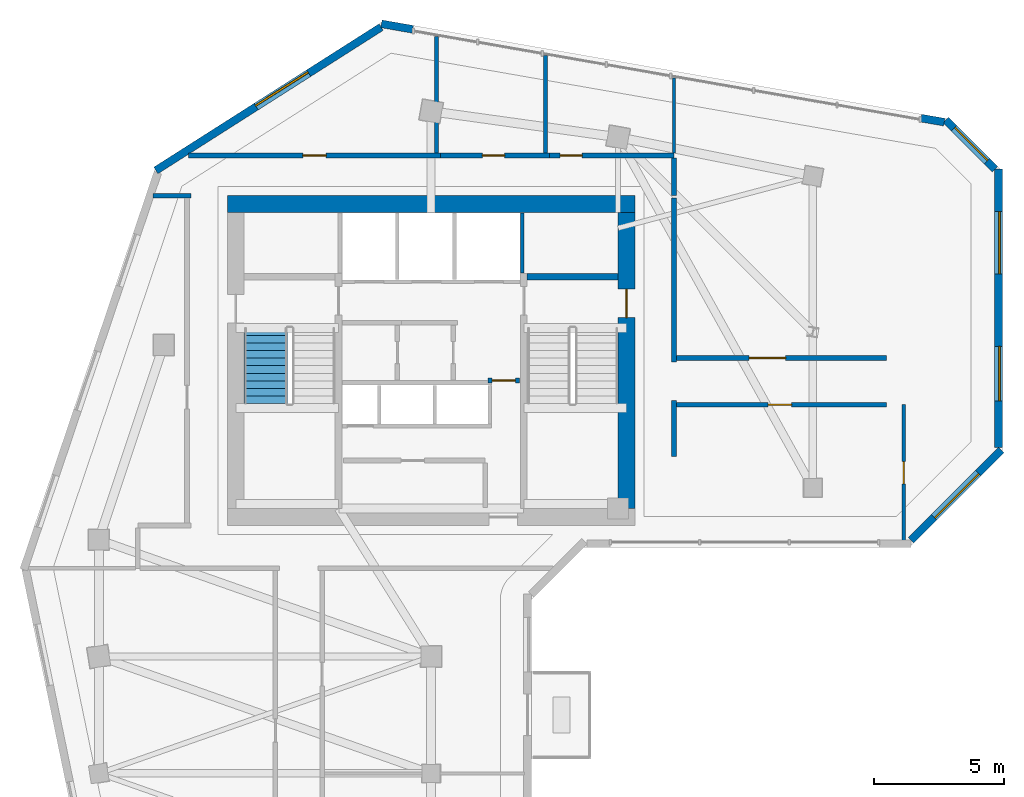
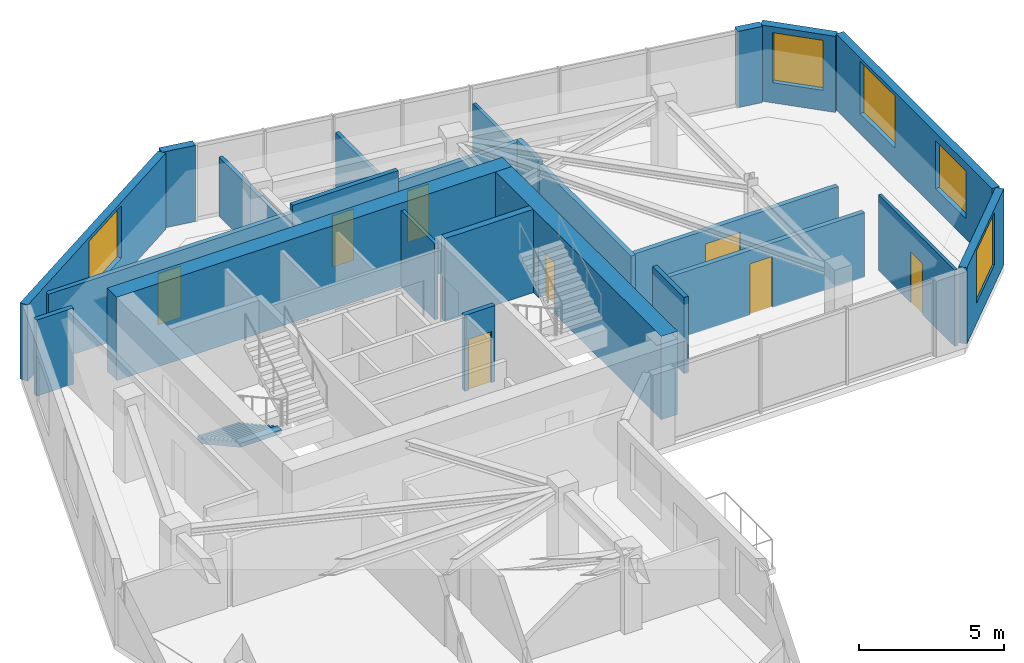
# One storey, part 5 of 9: 24 walls, 8 doors, 5 windows, 1 stair flight, 13 openings, 1 element without a shape of its own.
"""IFC4 building model written with IfcOpenShell, lengths in metres."""

import ifcopenshell
import ifcopenshell.guid

model = None  # the IFC model being written
_history = None  # IfcOwnerHistory: only IFC2X3 demands one
_inside = {}  # id of a spatial element -> (the spatial element, [elements in it])
_under = {}  # id of a project, library or spatial element -> (it, [spatial elements below it])
_declared = {}  # id of a project -> (the project, [libraries it declares])
_typed = {}  # id of a type object -> (the type object, [elements of that type])
_made_of = {}  # id of a material, layer set ... -> (it, [elements and type objects made of it])


def new_model(schema):
    """Start an empty IFC model of exactly this schema.

    Asked for "IFC4X3", IfcOpenShell would pick the latest addendum, in which some entities
    have other attributes; the version numbers below select the first issue.
    IFC2X3 requires an IfcOwnerHistory on every rooted entity: one is made here for all.
    """
    global model, _history
    if schema == "IFC4X3":
        model = ifcopenshell.file(schema_version=(4, 3, 0, 0))
    else:
        model = ifcopenshell.file(schema=schema)
    _inside.clear()
    _under.clear()
    _declared.clear()
    _typed.clear()
    _made_of.clear()
    _history = None
    if model.schema == "IFC2X3":
        org = make("IfcOrganization", Name="unknown")
        user = make(
            "IfcPersonAndOrganization",
            ThePerson=make("IfcPerson", FamilyName="unknown"),
            TheOrganization=org,
        )
        app = make(
            "IfcApplication",
            ApplicationDeveloper=org,
            Version="unknown",
            ApplicationFullName="unknown",
            ApplicationIdentifier="unknown",
        )
        _history = make(
            "IfcOwnerHistory",
            OwningUser=user,
            OwningApplication=app,
            ChangeAction="ADDED",
            CreationDate=0,
        )
    return model


def make(cls, **values):
    """One entity of the class cls with the attributes given. An attribute that is None is left unset."""
    return model.create_entity(
        cls, **{name: value for name, value in values.items() if value is not None}
    )


def rooted(cls, **values):
    """An entity with a GlobalId (a new one), such as an element, a storey or a relation."""
    return make(cls, GlobalId=ifcopenshell.guid.new(), OwnerHistory=_history, **values)


def si_unit(unit_type, name, prefix=None):
    """IfcSIUnit, for example si_unit("LENGTHUNIT", "METRE", prefix="MILLI")."""
    return make("IfcSIUnit", UnitType=unit_type, Prefix=prefix, Name=name)


def assignment(units):
    """IfcUnitAssignment: the units of a project."""
    return None if units is None else make("IfcUnitAssignment", Units=units)


def point(xyz):
    """IfcCartesianPoint."""
    return None if xyz is None else make("IfcCartesianPoint", Coordinates=xyz)


def direction(xyz):
    """IfcDirection."""
    return None if xyz is None else make("IfcDirection", DirectionRatios=xyz)


def frame(location, z_axis=None, x_axis=None):
    """IfcAxis2Placement3D, a coordinate frame: its origin and axes. An axis left out is left unset."""
    return make(
        "IfcAxis2Placement3D",
        Location=point(location),
        Axis=direction(z_axis),
        RefDirection=direction(x_axis),
    )


def frame_2d(location, x_axis=None):
    """IfcAxis2Placement2D, a coordinate frame in the plane: its origin and x axis."""
    return make(
        "IfcAxis2Placement2D", Location=point(location), RefDirection=direction(x_axis)
    )


def origin():
    """The frame at (0, 0, 0) with its axes left unset."""
    return frame((0.0, 0.0, 0.0))


def place(relative_to, where):
    """IfcLocalPlacement: puts the frame where relative to a parent placement (None: the world)."""
    return make(
        "IfcLocalPlacement", PlacementRelTo=relative_to, RelativePlacement=where
    )


def context(
    kind, dimensions, precision=None, world=None, true_north=None, identifier=None
):
    """IfcGeometricRepresentationContext, for example the 3D "Model" context."""
    return make(
        "IfcGeometricRepresentationContext",
        ContextIdentifier=identifier,
        ContextType=kind,
        CoordinateSpaceDimension=dimensions,
        Precision=precision,
        WorldCoordinateSystem=world,
        TrueNorth=true_north,
    )


def subcontext(parent, identifier, kind, view, scale=None):
    """IfcGeometricRepresentationSubContext, for example "Body" below "Model"."""
    return make(
        "IfcGeometricRepresentationSubContext",
        ContextIdentifier=identifier,
        ContextType=kind,
        ParentContext=parent,
        TargetScale=scale,
        TargetView=view,
    )


def project(units=None, contexts=None):
    """IfcProject with its units and contexts."""
    return rooted(
        "IfcProject",
        Name="project",
        RepresentationContexts=contexts,
        UnitsInContext=assignment(units),
    )


def spatial(cls, under=None, at=None, **own):
    """A site, building, storey or space (cls), placed at a placement, below another one or the project."""
    s = rooted(cls, ObjectPlacement=at, **own)
    if under is not None:
        _under.setdefault(under.id(), (under, []))[1].append(s)
    return s


def polyline(points):
    """IfcPolyline through the points."""
    return make("IfcPolyline", Points=[point(p) for p in points])


def profile(cls, at=None, kind="AREA", **sizes):
    """A parametric profile (cls). Its sizes go by their IFC names, for example OverallWidth=200.0."""
    return make(cls, ProfileType=kind, Position=at, **sizes)


def rectangle(**sizes):
    """IfcRectangleProfileDef."""
    return profile("IfcRectangleProfileDef", **sizes)


def outline(outer, holes=None, kind="AREA"):
    """IfcArbitraryClosedProfileDef: a profile drawn as a closed curve; with holes, ...WithVoids."""
    if holes is None:
        return make("IfcArbitraryClosedProfileDef", ProfileType=kind, OuterCurve=outer)
    return make(
        "IfcArbitraryProfileDefWithVoids",
        ProfileType=kind,
        OuterCurve=outer,
        InnerCurves=holes,
    )


def extrude(swept, where, along, depth):
    """IfcExtrudedAreaSolid: the profile swept, set in the frame where, extruded along a direction by depth."""
    return make(
        "IfcExtrudedAreaSolid",
        SweptArea=swept,
        Position=where,
        ExtrudedDirection=direction(along),
        Depth=depth,
    )


def shape(context_of_items, identifier, shape_type, items):
    """IfcShapeRepresentation: the items that make up one representation, for example the "Body"."""
    return make(
        "IfcShapeRepresentation",
        ContextOfItems=context_of_items,
        RepresentationIdentifier=identifier,
        RepresentationType=shape_type,
        Items=items,
    )


def source(mapping_origin, context_of_items, identifier, shape_type, items):
    """IfcRepresentationMap: a shape defined once, which mapped items show again and again."""
    return make(
        "IfcRepresentationMap",
        MappingOrigin=mapping_origin,
        MappedRepresentation=shape(context_of_items, identifier, shape_type, items),
    )


def transform(
    local_origin,
    x_axis=None,
    y_axis=None,
    z_axis=None,
    scale=None,
    scale2=None,
    scale3=None,
    uniform=True,
):
    """IfcCartesianTransformationOperator3D, or its non-uniform kind. x_axis, y_axis, z_axis: its Axis1, 2, 3."""
    if uniform:
        return make(
            "IfcCartesianTransformationOperator3D",
            Axis1=direction(x_axis),
            Axis2=direction(y_axis),
            LocalOrigin=point(local_origin),
            Scale=scale,
            Axis3=direction(z_axis),
        )
    return make(
        "IfcCartesianTransformationOperator3DnonUniform",
        Axis1=direction(x_axis),
        Axis2=direction(y_axis),
        LocalOrigin=point(local_origin),
        Scale=scale,
        Axis3=direction(z_axis),
        Scale2=scale2,
        Scale3=scale3,
    )


def mapped(mapping_source, mapping_target):
    """IfcMappedItem: shows the shape of a source again, moved by a transform."""
    return make(
        "IfcMappedItem", MappingSource=mapping_source, MappingTarget=mapping_target
    )


def material(Name=None, Category=None):
    """IfcMaterial."""
    return make("IfcMaterial", Name=Name, Category=Category)


def layer(
    of_material, thickness, ventilated=None, Name=None, Category=None, Priority=None
):
    """IfcMaterialLayer: one layer of a wall or slab, of a material (None: an air gap)."""
    return make(
        "IfcMaterialLayer",
        Material=of_material,
        LayerThickness=thickness,
        IsVentilated=ventilated,
        Name=Name,
        Category=Category,
        Priority=Priority,
    )


def layer_set(layers, Name=None):
    """IfcMaterialLayerSet."""
    return make("IfcMaterialLayerSet", MaterialLayers=layers, LayerSetName=Name)


def made_of(thing, what):
    """Note that an element or type object is made of a material, layer set ...; save() writes the relation."""
    if what is not None:
        _made_of.setdefault(what.id(), (what, []))[1].append(thing)
    return thing


def type_object(cls, material=None, **own):
    """A type object (cls), such as IfcWallType, which elements share."""
    return made_of(rooted(cls, **own), material)


def element(
    cls,
    number,
    at=None,
    inside=None,
    cuts=None,
    type_object=None,
    material=None,
    context=None,
    identifier="Body",
    shape_type=None,
    held_by="IfcProductDefinitionShape",
    body=None,
    shapes=None,
    **own,
):
    """One element of the class cls, such as IfcWall. Its Tag is "e" and its number.

    at: its placement. inside: the storey or other place that contains it. cuts: it is an
    opening in that element (IfcRelVoidsElement). A single representation is given by context,
    identifier, shape_type and body (its items); several are given by shapes. held_by: the class
    of the entity that holds the representations. save() writes the other relations.
    """
    e = rooted(cls, Tag="e%d" % number, ObjectPlacement=at, **own)
    if body is not None:
        shapes = [shape(context, identifier, shape_type, body)]
    if shapes is not None:
        e.Representation = make(held_by, Representations=shapes)
    if inside is not None:
        _inside.setdefault(inside.id(), (inside, []))[1].append(e)
    if cuts is not None:
        rooted(
            "IfcRelVoidsElement", RelatingBuildingElement=cuts, RelatedOpeningElement=e
        )
    if type_object is not None:
        _typed.setdefault(type_object.id(), (type_object, []))[1].append(e)
    return made_of(e, material)


def fill(opening, filler):
    """IfcRelFillsElement: the door or window that sits in an opening."""
    return rooted(
        "IfcRelFillsElement",
        RelatingOpeningElement=opening,
        RelatedBuildingElement=filler,
    )


def aggregate(whole, parts):
    """IfcRelAggregates: a whole, such as a stair, and the parts it consists of."""
    return rooted("IfcRelAggregates", RelatingObject=whole, RelatedObjects=parts)


def save(model, path):
    """Write the relations noted so far, then the file.

    IfcRelAggregates (storeys below a building ...), IfcRelContainedInSpatialStructure (elements
    in a storey), IfcRelDefinesByType, IfcRelAssociatesMaterial and IfcRelDeclares: one each for
    every whole, place, type object, material and project.
    """
    for whole, parts in _under.values():
        aggregate(whole, parts)
    for where, things in _inside.values():
        rooted(
            "IfcRelContainedInSpatialStructure",
            RelatedElements=things,
            RelatingStructure=where,
        )
    for kind, things in _typed.values():
        rooted("IfcRelDefinesByType", RelatedObjects=things, RelatingType=kind)
    for what, things in _made_of.values():
        rooted("IfcRelAssociatesMaterial", RelatedObjects=things, RelatingMaterial=what)
    for by, libraries in _declared.values():
        rooted("IfcRelDeclares", RelatingContext=by, RelatedDefinitions=libraries)
    model.write(path)


model = new_model("IFC4")

# Units and contexts
model_context = context("Model", 3, precision=1e-05, world=origin(), true_north=direction((0.0, 1.0)))
body_context = subcontext(model_context, "Body", "Model", "MODEL_VIEW")
ifc_project = project(units=[si_unit("LENGTHUNIT", "METRE"), si_unit("AREAUNIT", "SQUARE_METRE"), si_unit("VOLUMEUNIT", "CUBIC_METRE"), si_unit("PLANEANGLEUNIT", "RADIAN"), si_unit("MASSUNIT", "GRAM", prefix="KILO")], contexts=[model_context])

# Site, building, storey
site_placement = place(None, origin())
site = spatial("IfcSite", under=ifc_project, at=site_placement, CompositionType="ELEMENT")
building_placement = place(site_placement, origin())
building = spatial("IfcBuilding", under=site, at=building_placement, Name="Calvemar Wedge Station Tower", CompositionType="ELEMENT")
storey_placement = place(building_placement, frame((0.0, 0.0, 239.39990234375)))
storey = spatial("IfcBuildingStorey", under=building, at=storey_placement, Name="L61", CompositionType="ELEMENT", Elevation=239.39990234375)

# Walls
ifc_material_1 = material(Name="Concrete C50", Category="concrete")
ifc_layer_1 = layer(ifc_material_1, 0.260009765625)
ifc_layer_set_1 = layer_set([ifc_layer_1], Name="Concrete C50")
wall_type_1 = type_object("IfcWallType", Name="SW-CORE-260", PredefinedType="SHEAR", material=ifc_layer_set_1)
wall_1_placement = place(storey_placement, frame((27.5, 43.1298828125, 0.0), z_axis=(0.0, 0.0, 1.0), x_axis=(1.0, 0.0, 0.0)))
element("IfcWall", 1, at=wall_1_placement, inside=storey, type_object=wall_type_1, Name="Storey L61 Core Shear Wall STC2-N", PredefinedType="SHEAR", context=body_context, shape_type="SweptSolid", body=[
    extrude(rectangle(XDim=3.5, YDim=0.260009765625, at=frame_2d((1.75, 0.0))), origin(), (0.0, 0.0, 1.0), 3.5),
])
ifc_material_2 = material(Name="Concrete C60", Category="concrete")
ifc_layer_2 = layer(ifc_material_2, 0.64990234375)
ifc_layer_set_2 = layer_set([ifc_layer_2], Name="Concrete C60")
wall_type_2 = type_object("IfcWallType", Name="SW-CORE-650", PredefinedType="SHEAR", material=ifc_layer_set_2)
wall_2_placement = place(storey_placement, frame((15.949951171875, 45.925048828125, 0.0), z_axis=(0.0, 0.0, 1.0), x_axis=(1.0, 0.0, 0.0)))
element("IfcWall", 2, at=wall_2_placement, inside=storey, type_object=wall_type_2, Name="Storey L61 Core Shear Wall N", PredefinedType="SHEAR", context=body_context, shape_type="SweptSolid", body=[
    extrude(rectangle(XDim=15.699951171875, YDim=0.64990234375, at=frame_2d((7.85009765625, 0.0))), origin(), (0.0, 0.0, 1.0), 3.5),
])

# Wall, opening, door
wall_3_placement = place(storey_placement, frame((31.324951171875, 34.199951171875, 0.0), z_axis=(0.0, 0.0, 1.0), x_axis=(0.0, 1.0, 0.0)))
wall_3 = element("IfcWall", 3, at=wall_3_placement, inside=storey, type_object=wall_type_2, Name="Storey L61 Core Shear Wall E", PredefinedType="SHEAR", context=body_context, shape_type="SweptSolid", body=[
    extrude(rectangle(XDim=11.400146484375, YDim=0.64990234375, at=frame_2d((5.7001953125, 0.0))), origin(), (0.0, 0.0, 1.0), 3.5),
])
shared_shape_1 = source(origin(), body_context, "Body", "SweptSolid", [
    extrude(rectangle(XDim=1.10009765625, YDim=2.14990234375, at=frame_2d((0.550048828125, 1.074951171875))), frame((0.0, 0.3349609375, 0.0), z_axis=(0.0, -1.0, 0.0), x_axis=(1.0, 0.0, 0.0)), (0.0, 0.0, 1.0), 0.669921875),
])
opening_1_placement = place(wall_3_placement, frame((7.35009765625, 0.0, 0.0)))
opening_1 = element("IfcOpeningElement", 4, at=opening_1_placement, cuts=wall_3, Name="Opening FD-90", PredefinedType="OPENING", context=body_context, shape_type="MappedRepresentation", body=[
    mapped(shared_shape_1, transform((0.0, 0.0, 0.0), scale=1.0)),
])
ifc_material_3 = material(Name="Galvanized fire-rated steel door leaf P-90", Category="steel")
door_type_1 = type_object("IfcDoorType", Name="DR-FD90-1100", OperationType="NOTDEFINED", PredefinedType="DOOR", material=ifc_material_3)
shared_shape_2 = source(origin(), body_context, "Body", "SweptSolid", [
    extrude(rectangle(XDim=1.10009765625, YDim=2.14990234375, at=frame_2d((0.550048828125, 1.074951171875))), frame((0.0, 0.02490234375, 0.0), z_axis=(0.0, -1.0, 0.0), x_axis=(1.0, 0.0, 0.0)), (0.0, 0.0, 1.0), 0.050048828125),
])
door_1_placement = place(opening_1_placement, origin())
door_1 = element("IfcDoor", 5, at=door_1_placement, inside=storey, type_object=door_type_1, Name="L61 East Corridor to Exit Stair ST-C2 Door", OperationType="SINGLE_SWING_LEFT", OverallHeight=2.14990234375, OverallWidth=1.10009765625, PredefinedType="DOOR", context=body_context, shape_type="MappedRepresentation", body=[
    mapped(shared_shape_2, transform((0.0, 0.0, 0.0), scale=1.0)),
])
fill(opening_1, door_1)

ifc_material_4 = material(Name="Double-stud fire-rated corridor partition")
ifc_layer_3 = layer(ifc_material_4, 0.179931640625)
ifc_layer_set_3 = layer_set([ifc_layer_3], Name="Double-stud fire-rated corridor partition")
wall_type_3 = type_object("IfcWallType", Name="W-CORR-180", PredefinedType="PARTITIONING", material=ifc_layer_set_3)
wall_4_placement = place(storey_placement, frame((27.199951171875, 39.1298828125, 0.0), z_axis=(0.0, 0.0, 1.0), x_axis=(-1.0, 0.0, 0.0)))
wall_4 = element("IfcWall", 6, at=wall_4_placement, inside=storey, type_object=wall_type_3, Name="Storey L61 Interior Partition WL-L61-005", PredefinedType="PARTITIONING", context=body_context, shape_type="SweptSolid", body=[
    extrude(rectangle(XDim=1.2099609375, YDim=0.179931640625, at=frame_2d((0.60498046875, 0.0))), origin(), (0.0, 0.0, 1.0), 3.2001953125),
])
shared_shape_3 = source(origin(), body_context, "Body", "SweptSolid", [
    extrude(rectangle(XDim=0.89990234375, YDim=2.14990234375, at=frame_2d((0.449951171875, 1.074951171875))), frame((0.0, 0.10009765625, 0.0), z_axis=(0.0, -1.0, 0.0), x_axis=(1.0, 0.0, 0.0)), (0.0, 0.0, 1.0), 0.199951171875),
])
opening_2_placement = place(wall_4_placement, frame((0.155029296875, 0.0, 0.0)))
opening_2 = element("IfcOpeningElement", 7, at=opening_2_placement, cuts=wall_4, Name="Opening FD-60", PredefinedType="OPENING", context=body_context, shape_type="MappedRepresentation", body=[
    mapped(shared_shape_3, transform((0.0, 0.0, 0.0), scale=1.0)),
])
ifc_material_5 = material(Name="Fire-rated acoustic timber-core entrance door EI 60", Category="wood")
door_type_2 = type_object("IfcDoorType", Name="DR-FD60-900", OperationType="NOTDEFINED", PredefinedType="DOOR", material=ifc_material_5)
shared_shape_4 = source(origin(), body_context, "Body", "SweptSolid", [
    extrude(rectangle(XDim=0.89990234375, YDim=2.14990234375, at=frame_2d((0.449951171875, 1.074951171875))), frame((0.0, 0.02490234375, 0.0), z_axis=(0.0, -1.0, 0.0), x_axis=(1.0, 0.0, 0.0)), (0.0, 0.0, 1.0), 0.050048828125),
])
door_2_placement = place(opening_2_placement, origin())
door_2 = element("IfcDoor", 8, at=door_2_placement, inside=storey, type_object=door_type_2, Name="L61 Core Service Lobby Door", OperationType="SINGLE_SWING_LEFT", OverallHeight=2.14990234375, OverallWidth=0.89990234375, PredefinedType="DOOR", context=body_context, shape_type="MappedRepresentation", body=[
    mapped(shared_shape_4, transform((0.0, 0.0, 0.0), scale=1.0)),
])
fill(opening_2, door_2)

# Wall
wall_5_placement = place(storey_placement, frame((14.56005859375, 46.25, 0.0), z_axis=(0.0, 0.0, 1.0), x_axis=(-1.0, 0.0, 0.0)))
element("IfcWall", 9, at=wall_5_placement, inside=storey, type_object=wall_type_3, Name="Storey L61 Interior Partition WL-L61-013", PredefinedType="PARTITIONING", context=body_context, shape_type="SweptSolid", body=[
    extrude(rectangle(XDim=1.46875, YDim=0.179931640625, at=frame_2d((0.734375, 0.0))), origin(), (0.0, 0.0, 1.0), 3.2001953125),
])

# Wall, opening, door
wall_6_placement = place(storey_placement, frame((14.45263671875, 47.800048828125, 0.0), z_axis=(0.0, 0.0, 1.0), x_axis=(1.0, 0.0, 0.0)))
wall_6 = element("IfcWall", 10, at=wall_6_placement, inside=storey, type_object=wall_type_3, Name="Storey L61 Interior Partition WL-L61-014", PredefinedType="PARTITIONING", context=body_context, shape_type="SweptSolid", body=[
    extrude(rectangle(XDim=9.707275390625, YDim=0.179931640625, at=frame_2d((4.853515625, 0.0))), origin(), (0.0, 0.0, 1.0), 2.869140625),
])
opening_3_placement = place(wall_6_placement, frame((4.40380859375, 0.0, 0.0)))
opening_3 = element("IfcOpeningElement", 11, at=opening_3_placement, cuts=wall_6, Name="Opening D-01", PredefinedType="OPENING", context=body_context, shape_type="MappedRepresentation", body=[
    mapped(shared_shape_3, transform((0.0, 0.0, 0.0), scale=1.0)),
])
ifc_material_6 = material(Name="Architectural hardwood acoustic swing door", Category="wood")
door_type_3 = type_object("IfcDoorType", Name="DR-INT-900", OperationType="NOTDEFINED", PredefinedType="DOOR", material=ifc_material_6)
shared_shape_5 = source(origin(), body_context, "Body", "SweptSolid", [
    extrude(rectangle(XDim=0.89990234375, YDim=2.14990234375, at=frame_2d((0.449951171875, 1.074951171875))), frame((0.0, 0.02490234375, 0.0), z_axis=(0.0, -1.0, 0.0), x_axis=(1.0, 0.0, 0.0)), (0.0, 0.0, 1.0), 0.050048828125),
])
door_3_placement = place(opening_3_placement, origin())
door_3 = element("IfcDoor", 12, at=door_3_placement, inside=storey, type_object=door_type_3, Name="L61 Co-Working Lounge Door", OperationType="SINGLE_SWING_RIGHT", OverallHeight=2.14990234375, OverallWidth=0.89990234375, PredefinedType="DOOR", context=body_context, shape_type="MappedRepresentation", body=[
    mapped(shared_shape_5, transform((0.0, 0.0, 0.0), scale=1.0)),
])
fill(opening_3, door_3)

wall_7_placement = place(storey_placement, frame((24.162109375, 47.800048828125, 0.0), z_axis=(0.0, 0.0, 1.0), x_axis=(1.0, 0.0, 0.0)))
wall_7 = element("IfcWall", 13, at=wall_7_placement, inside=storey, type_object=wall_type_3, Name="Storey L61 Interior Partition WL-L61-015", PredefinedType="PARTITIONING", context=body_context, shape_type="SweptSolid", body=[
    extrude(rectangle(XDim=4.197998046875, YDim=0.179931640625, at=frame_2d((2.09912109375, 0.0))), origin(), (0.0, 0.0, 1.0), 3.2001953125),
])
shared_shape_6 = source(origin(), body_context, "Body", "SweptSolid", [
    extrude(rectangle(XDim=0.85009765625, YDim=2.14990234375, at=frame_2d((0.425048828125, 1.074951171875))), frame((0.0, 0.10009765625, 0.0), z_axis=(0.0, -1.0, 0.0), x_axis=(1.0, 0.0, 0.0)), (0.0, 0.0, 1.0), 0.199951171875),
])
opening_4_placement = place(wall_7_placement, frame((1.61328125, 0.0, 0.0)))
opening_4 = element("IfcOpeningElement", 14, at=opening_4_placement, cuts=wall_7, Name="Opening D-02", PredefinedType="OPENING", context=body_context, shape_type="MappedRepresentation", body=[
    mapped(shared_shape_6, transform((0.0, 0.0, 0.0), scale=1.0)),
])
ifc_material_7 = material(Name="Moisture-sealed bathroom hardwood swing door", Category="wood")
door_type_4 = type_object("IfcDoorType", Name="DR-WET-850", OperationType="NOTDEFINED", PredefinedType="DOOR", material=ifc_material_7)
shared_shape_7 = source(origin(), body_context, "Body", "SweptSolid", [
    extrude(rectangle(XDim=0.85009765625, YDim=2.14990234375, at=frame_2d((0.425048828125, 1.074951171875))), frame((0.0, 0.02490234375, 0.0), z_axis=(0.0, -1.0, 0.0), x_axis=(1.0, 0.0, 0.0)), (0.0, 0.0, 1.0), 0.050048828125),
])
door_4_placement = place(opening_4_placement, origin())
door_4 = element("IfcDoor", 15, at=door_4_placement, inside=storey, type_object=door_type_4, Name="L61 Accessible WC Door", OperationType="SINGLE_SWING_LEFT", OverallHeight=2.14990234375, OverallWidth=0.85009765625, PredefinedType="DOOR", context=body_context, shape_type="MappedRepresentation", body=[
    mapped(shared_shape_7, transform((0.0, 0.0, 0.0), scale=1.0)),
])
fill(opening_4, door_4)

wall_8_placement = place(storey_placement, frame((28.362060546875, 47.800048828125, 0.0), z_axis=(0.0, 0.0, 1.0), x_axis=(1.0, 0.0, 0.0)))
wall_8 = element("IfcWall", 16, at=wall_8_placement, inside=storey, type_object=wall_type_3, Name="Storey L61 Interior Partition WL-L61-016", PredefinedType="PARTITIONING", context=body_context, shape_type="SweptSolid", body=[
    extrude(rectangle(XDim=4.787841796875, YDim=0.179931640625, at=frame_2d((2.39404296875, 0.0))), origin(), (0.0, 0.0, 1.0), 2.72900390625),
])
opening_5_placement = place(wall_8_placement, frame((0.400634765625, 0.0, 0.0)))
opening_5 = element("IfcOpeningElement", 17, at=opening_5_placement, cuts=wall_8, Name="Opening D-02", PredefinedType="OPENING", context=body_context, shape_type="MappedRepresentation", body=[
    mapped(shared_shape_6, transform((0.0, 0.0, 0.0), scale=1.0)),
])
door_5_placement = place(opening_5_placement, origin())
door_5 = element("IfcDoor", 18, at=door_5_placement, inside=storey, type_object=door_type_4, Name="L61 Storage Room Door", OperationType="SINGLE_SWING_RIGHT", OverallHeight=2.14990234375, OverallWidth=0.85009765625, PredefinedType="DOOR", context=body_context, shape_type="MappedRepresentation", body=[
    mapped(shared_shape_7, transform((0.0, 0.0, 0.0), scale=1.0)),
])
fill(opening_5, door_5)

# Walls
wall_9_placement = place(storey_placement, frame((33.14990234375, 47.7060546875, 0.0), z_axis=(0.0, 0.0, 1.0), x_axis=(0.0, -1.0, 0.0)))
element("IfcWall", 19, at=wall_9_placement, inside=storey, type_object=wall_type_3, Name="Storey L61 Interior Partition WL-L61-017", PredefinedType="PARTITIONING", context=body_context, shape_type="SweptSolid", body=[
    extrude(rectangle(XDim=1.4560546875, YDim=0.179931640625, at=frame_2d((0.72802734375, 0.0))), origin(), (0.0, 0.0, 1.0), 2.869140625),
])
wall_10_placement = place(storey_placement, frame((33.14990234375, 46.156005859375, 0.0), z_axis=(0.0, 0.0, 1.0), x_axis=(0.0, -1.0, 0.0)))
element("IfcWall", 20, at=wall_10_placement, inside=storey, type_object=wall_type_3, Name="Storey L61 Interior Partition WL-L61-018", PredefinedType="PARTITIONING", context=body_context, shape_type="SweptSolid", body=[
    extrude(rectangle(XDim=6.31591796875, YDim=0.179931640625, at=frame_2d((3.157958984375, 0.0))), origin(), (0.0, 0.0, 1.0), 2.72900390625),
])
wall_11_placement = place(storey_placement, frame((33.14990234375, 38.360107421875, 0.0), z_axis=(0.0, 0.0, 1.0), x_axis=(0.0, -1.0, 0.0)))
element("IfcWall", 21, at=wall_11_placement, inside=storey, type_object=wall_type_3, Name="Storey L61 Interior Partition WL-L61-019", PredefinedType="PARTITIONING", context=body_context, shape_type="SweptSolid", body=[
    extrude(rectangle(XDim=2.16015625, YDim=0.179931640625, at=frame_2d((1.080078125, 0.0))), origin(), (0.0, 0.0, 1.0), 3.2001953125),
])

# Wall, opening, door
wall_12_placement = place(storey_placement, frame((33.243896484375, 40.0, 0.0), z_axis=(0.0, 0.0, 1.0), x_axis=(1.0, 0.0, 0.0)))
wall_12 = element("IfcWall", 22, at=wall_12_placement, inside=storey, type_object=wall_type_3, Name="Storey L61 Interior Partition WL-L61-024", PredefinedType="PARTITIONING", context=body_context, shape_type="SweptSolid", body=[
    extrude(rectangle(XDim=8.091064453125, YDim=0.179931640625, at=frame_2d((4.04541015625, 0.0))), origin(), (0.0, 0.0, 1.0), 2.716064453125),
])
shared_shape_8 = source(origin(), body_context, "Body", "SweptSolid", [
    extrude(rectangle(XDim=1.39990234375, YDim=2.14990234375, at=frame_2d((0.699951171875, 1.074951171875))), frame((0.0, 0.10009765625, 0.0), z_axis=(0.0, -1.0, 0.0), x_axis=(1.0, 0.0, 0.0)), (0.0, 0.0, 1.0), 0.199951171875),
])
opening_6_placement = place(wall_12_placement, frame((2.804443359375, 0.0, 0.0)))
opening_6 = element("IfcOpeningElement", 23, at=opening_6_placement, cuts=wall_12, Name="Opening DD-140", PredefinedType="OPENING", context=body_context, shape_type="MappedRepresentation", body=[
    mapped(shared_shape_8, transform((0.0, 0.0, 0.0), scale=1.0)),
])
ifc_material_8 = material(Name="Double-leaf corridor acoustic fire door EI 60")
door_type_5 = type_object("IfcDoorType", Name="DR-DBL-1400", OperationType="DOUBLE_DOOR_SINGLE_SWING", PredefinedType="DOOR", material=ifc_material_8)
shared_shape_9 = source(origin(), body_context, "Body", "SweptSolid", [
    extrude(rectangle(XDim=1.39990234375, YDim=2.14990234375, at=frame_2d((0.699951171875, 1.074951171875))), frame((0.0, 0.02490234375, 0.0), z_axis=(0.0, -1.0, 0.0), x_axis=(1.0, 0.0, 0.0)), (0.0, 0.0, 1.0), 0.050048828125),
])
door_6_placement = place(opening_6_placement, origin())
door_6 = element("IfcDoor", 24, at=door_6_placement, inside=storey, type_object=door_type_5, Name="L61 Co-Working Studio Door", OperationType="SINGLE_SWING_LEFT", OverallHeight=2.14990234375, OverallWidth=1.39990234375, PredefinedType="DOOR", context=body_context, shape_type="MappedRepresentation", body=[
    mapped(shared_shape_9, transform((0.0, 0.0, 0.0), scale=1.0)),
])
fill(opening_6, door_6)

wall_13_placement = place(storey_placement, frame((41.3349609375, 38.199951171875, 0.0), z_axis=(0.0, 0.0, 1.0), x_axis=(-1.0, 0.0, 0.0)))
wall_13 = element("IfcWall", 25, at=wall_13_placement, inside=storey, type_object=wall_type_3, Name="Storey L61 Interior Partition WL-L61-025", PredefinedType="PARTITIONING", context=body_context, shape_type="SweptSolid", body=[
    extrude(rectangle(XDim=8.091064453125, YDim=0.179931640625, at=frame_2d((4.04541015625, 0.0))), origin(), (0.0, 0.0, 1.0), 2.716064453125),
])
opening_7_placement = place(wall_13_placement, frame((3.65576171875, 0.0, 0.0)))
opening_7 = element("IfcOpeningElement", 26, at=opening_7_placement, cuts=wall_13, Name="Opening D-01", PredefinedType="OPENING", context=body_context, shape_type="MappedRepresentation", body=[
    mapped(shared_shape_3, transform((0.0, 0.0, 0.0), scale=1.0)),
])
door_7_placement = place(opening_7_placement, origin())
door_7 = element("IfcDoor", 27, at=door_7_placement, inside=storey, type_object=door_type_3, Name="L61 Meeting Room Door", OperationType="SINGLE_SWING_RIGHT", OverallHeight=2.14990234375, OverallWidth=0.89990234375, PredefinedType="DOOR", context=body_context, shape_type="MappedRepresentation", body=[
    mapped(shared_shape_5, transform((0.0, 0.0, 0.0), scale=1.0)),
])
fill(opening_7, door_7)

# Wall, opening, window
ifc_material_9 = material(Name="Precast concrete C45", Category="concrete")
ifc_layer_4 = layer(ifc_material_9, 0.300048828125)
ifc_layer_set_4 = layer_set([ifc_layer_4], Name="Precast concrete C45")
wall_type_4 = type_object("IfcWallType", Name="W-EXT-GFRC-300", PredefinedType="SOLIDWALL", material=ifc_layer_set_4)
wall_14_placement = place(storey_placement, frame((42.27587890625, 32.97998046875, 0.0), z_axis=(0.0, 0.0, 1.0), x_axis=(0.707106781187, 0.707106781187, 0.0)))
wall_14 = element("IfcWall", 28, at=wall_14_placement, inside=storey, type_object=wall_type_4, Name="Storey L61 Bronze GFRC Exterior Wall 7", PredefinedType="SOLIDWALL", context=body_context, shape_type="SweptSolid", body=[
    extrude(rectangle(XDim=4.921875, YDim=0.300048828125, at=frame_2d((2.4609375, 0.0))), origin(), (0.0, 0.0, 1.0), 3.2001953125),
])
shared_shape_10 = source(origin(), body_context, "Body", "SweptSolid", [
    extrude(rectangle(XDim=2.39990234375, YDim=2.199951171875, at=frame_2d((1.199951171875, 1.10009765625))), frame((0.0, 0.16015625, 0.0), z_axis=(0.0, -1.0, 0.0), x_axis=(1.0, 0.0, 0.0)), (0.0, 0.0, 1.0), 0.320068359375),
])
opening_8_placement = place(wall_14_placement, frame((1.260986328125, 0.0, 0.85009765625)))
opening_8 = element("IfcOpeningElement", 29, at=opening_8_placement, cuts=wall_14, Name="Opening W1", PredefinedType="OPENING", context=body_context, shape_type="MappedRepresentation", body=[
    mapped(shared_shape_10, transform((0.0, 0.0, 0.0), scale=1.0)),
])
ifc_material_10 = material(Name="Low-E laminated insulated glass", Category="glass")
window_type_1 = type_object("IfcWindowType", Name="WIN-EXT-1", PartitioningType="SINGLE_PANEL", PredefinedType="WINDOW", material=ifc_material_10)
shared_shape_11 = source(origin(), body_context, "Body", "SweptSolid", [
    extrude(rectangle(XDim=2.39990234375, YDim=2.199951171875, at=frame_2d((1.199951171875, 1.10009765625))), frame((0.0, -0.014892578125, 0.0), z_axis=(0.0, -1.0, 0.0), x_axis=(1.0, 0.0, 0.0)), (0.0, 0.0, 1.0), 0.06005859375),
])
window_1_placement = place(opening_8_placement, origin())
window_1 = element("IfcWindow", 30, at=window_1_placement, inside=storey, type_object=window_type_1, Name="Storey L61 Recessed Window 7.1", OverallHeight=2.199951171875, OverallWidth=2.39990234375, PartitioningType="SINGLE_PANEL", PredefinedType="WINDOW", context=body_context, shape_type="MappedRepresentation", body=[
    mapped(shared_shape_11, transform((0.0, 0.0, 0.0), scale=1.0)),
])
fill(opening_8, window_1)

# Wall, openings, windows
wall_15_placement = place(storey_placement, frame((45.64990234375, 36.54931640625, 0.0), z_axis=(0.0, 0.0, 1.0), x_axis=(0.0, 1.0, 0.0)))
wall_15 = element("IfcWall", 31, at=wall_15_placement, inside=storey, type_object=wall_type_4, Name="Storey L61 Bronze GFRC Exterior Wall 8", PredefinedType="SOLIDWALL", context=body_context, shape_type="SweptSolid", body=[
    extrude(rectangle(XDim=10.73046875, YDim=0.300048828125, at=frame_2d((5.365234375, 0.0))), origin(), (0.0, 0.0, 1.0), 3.2001953125),
])
shared_shape_12 = source(origin(), body_context, "Body", "SweptSolid", [
    extrude(rectangle(XDim=2.10009765625, YDim=2.0, at=frame_2d((1.050048828125, 1.0))), frame((0.0, 0.16015625, 0.0), z_axis=(0.0, -1.0, 0.0), x_axis=(1.0, 0.0, 0.0)), (0.0, 0.0, 1.0), 0.320068359375),
])
opening_9_placement = place(wall_15_placement, frame((1.79296875, 0.0, 0.85009765625)))
opening_9 = element("IfcOpeningElement", 32, at=opening_9_placement, cuts=wall_15, Name="Opening W4", PredefinedType="OPENING", context=body_context, shape_type="MappedRepresentation", body=[
    mapped(shared_shape_12, transform((0.0, 0.0, 0.0), scale=1.0)),
])
opening_10_placement = place(wall_15_placement, frame((6.68798828125, 0.0, 0.85009765625)))
opening_10 = element("IfcOpeningElement", 33, at=opening_10_placement, cuts=wall_15, Name="Opening W1", PredefinedType="OPENING", context=body_context, shape_type="MappedRepresentation", body=[
    mapped(shared_shape_10, transform((0.0, 0.0, 0.0), scale=1.0)),
])
window_type_2 = type_object("IfcWindowType", Name="WIN-EXT-4", PartitioningType="SINGLE_PANEL", PredefinedType="WINDOW", material=ifc_material_10)
shared_shape_13 = source(origin(), body_context, "Body", "SweptSolid", [
    extrude(rectangle(XDim=2.10009765625, YDim=2.0, at=frame_2d((1.050048828125, 1.0))), frame((0.0, -0.014892578125, 0.0), z_axis=(0.0, -1.0, 0.0), x_axis=(1.0, 0.0, 0.0)), (0.0, 0.0, 1.0), 0.06005859375),
])
window_2_placement = place(opening_9_placement, origin())
window_2 = element("IfcWindow", 34, at=window_2_placement, inside=storey, type_object=window_type_2, Name="Storey L61 Recessed Window 8.1", OverallHeight=2.0, OverallWidth=2.10009765625, PartitioningType="SINGLE_PANEL", PredefinedType="WINDOW", context=body_context, shape_type="MappedRepresentation", body=[
    mapped(shared_shape_13, transform((0.0, 0.0, 0.0), scale=1.0)),
])
fill(opening_9, window_2)
window_3_placement = place(opening_10_placement, origin())
window_3 = element("IfcWindow", 35, at=window_3_placement, inside=storey, type_object=window_type_1, Name="Storey L61 Recessed Window 8.2", OverallHeight=2.199951171875, OverallWidth=2.39990234375, PartitioningType="SINGLE_PANEL", PredefinedType="WINDOW", context=body_context, shape_type="MappedRepresentation", body=[
    mapped(shared_shape_11, transform((0.0, 0.0, 0.0), scale=1.0)),
])
fill(opening_10, window_3)

# Wall, opening, window
wall_16_placement = place(storey_placement, frame((45.511962890625, 47.267822265625, 0.0), z_axis=(0.0, 0.0, 1.0), x_axis=(-0.707106781187, 0.707106781187, 0.0)))
wall_16 = element("IfcWall", 36, at=wall_16_placement, inside=storey, type_object=wall_type_4, Name="Storey L61 Bronze GFRC Exterior Wall 9", PredefinedType="SOLIDWALL", context=body_context, shape_type="SweptSolid", body=[
    extrude(rectangle(XDim=2.673828125, YDim=0.300048828125, at=frame_2d((1.3369140625, 0.0))), origin(), (0.0, 0.0, 1.0), 3.2001953125),
])
shared_shape_14 = source(origin(), body_context, "Body", "SweptSolid", [
    extrude(rectangle(XDim=1.800048828125, YDim=2.10009765625, at=frame_2d((0.89990234375, 1.050048828125))), frame((0.0, 0.16015625, 0.0), z_axis=(0.0, -1.0, 0.0), x_axis=(1.0, 0.0, 0.0)), (0.0, 0.0, 1.0), 0.320068359375),
])
opening_11_placement = place(wall_16_placement, frame((0.43701171875, 0.0, 0.85009765625)))
opening_11 = element("IfcOpeningElement", 37, at=opening_11_placement, cuts=wall_16, Name="Opening W2", PredefinedType="OPENING", context=body_context, shape_type="MappedRepresentation", body=[
    mapped(shared_shape_14, transform((0.0, 0.0, 0.0), scale=1.0)),
])
window_type_3 = type_object("IfcWindowType", Name="WIN-EXT-2", PartitioningType="SINGLE_PANEL", PredefinedType="WINDOW", material=ifc_material_10)
shared_shape_15 = source(origin(), body_context, "Body", "SweptSolid", [
    extrude(rectangle(XDim=1.800048828125, YDim=2.10009765625, at=frame_2d((0.89990234375, 1.050048828125))), frame((0.0, -0.014892578125, 0.0), z_axis=(0.0, -1.0, 0.0), x_axis=(1.0, 0.0, 0.0)), (0.0, 0.0, 1.0), 0.06005859375),
])
window_4_placement = place(opening_11_placement, origin())
window_4 = element("IfcWindow", 38, at=window_4_placement, inside=storey, type_object=window_type_3, Name="Storey L61 Recessed Window 9.1", OverallHeight=2.10009765625, OverallWidth=1.800048828125, PartitioningType="SINGLE_PANEL", PredefinedType="WINDOW", context=body_context, shape_type="MappedRepresentation", body=[
    mapped(shared_shape_15, transform((0.0, 0.0, 0.0), scale=1.0)),
])
fill(opening_11, window_4)

# Walls
wall_17_placement = place(storey_placement, frame((43.561279296875, 49.081298828125, 0.0), z_axis=(0.0, 0.0, 1.0), x_axis=(-0.985063518612, 0.172191359539, 0.0)))
element("IfcWall", 39, at=wall_17_placement, inside=storey, type_object=wall_type_4, Name="Storey L61 Bronze GFRC Corner Pier 10A", PredefinedType="SOLIDWALL", context=body_context, shape_type="SweptSolid", body=[
    extrude(rectangle(XDim=0.908935546875, YDim=0.300048828125, at=frame_2d((0.45458984375, 0.0))), origin(), (0.0, 0.0, 1.0), 3.2001953125),
])
wall_18_placement = place(storey_placement, frame((23.093017578125, 52.65673828125, 0.0), z_axis=(0.0, 0.0, 1.0), x_axis=(-0.985090351288, 0.172037785961, 0.0)))
element("IfcWall", 40, at=wall_18_placement, inside=storey, type_object=wall_type_4, Name="Storey L61 Bronze GFRC Corner Pier 10B", PredefinedType="SOLIDWALL", context=body_context, shape_type="SweptSolid", body=[
    extrude(rectangle(XDim=1.2275390625, YDim=0.300048828125, at=frame_2d((0.61376953125, 0.0))), origin(), (0.0, 0.0, 1.0), 3.2001953125),
])

# Wall, opening, window
wall_19_placement = place(storey_placement, frame((21.873779296875, 52.741943359375, 0.0), z_axis=(0.0, 0.0, 1.0), x_axis=(-0.84365659959, -0.536883173482, 0.0)))
wall_19 = element("IfcWall", 41, at=wall_19_placement, inside=storey, type_object=wall_type_4, Name="Storey L61 Bronze GFRC Exterior Wall 11", PredefinedType="SOLIDWALL", context=body_context, shape_type="SweptSolid", body=[
    extrude(rectangle(XDim=10.282958984375, YDim=0.300048828125, at=frame_2d((5.1416015625, 0.0))), origin(), (0.0, 0.0, 1.0), 3.2001953125),
])
opening_12_placement = place(wall_19_placement, frame((3.306884765625, 0.0, 0.85009765625)))
opening_12 = element("IfcOpeningElement", 42, at=opening_12_placement, cuts=wall_19, Name="Opening W1", PredefinedType="OPENING", context=body_context, shape_type="MappedRepresentation", body=[
    mapped(shared_shape_10, transform((0.0, 0.0, 0.0), scale=1.0)),
])
window_5_placement = place(opening_12_placement, origin())
window_5 = element("IfcWindow", 43, at=window_5_placement, inside=storey, type_object=window_type_1, Name="Storey L61 Recessed Window 11.1", OverallHeight=2.199951171875, OverallWidth=2.39990234375, PartitioningType="SINGLE_PANEL", PredefinedType="WINDOW", context=body_context, shape_type="MappedRepresentation", body=[
    mapped(shared_shape_11, transform((0.0, 0.0, 0.0), scale=1.0)),
])
fill(opening_12, window_5)

# Walls
ifc_material_11 = material(Name="Reinforced concrete blockwork lift shaft wall", Category="masonry")
ifc_layer_5 = layer(ifc_material_11, 0.139892578125)
ifc_layer_set_5 = layer_set([ifc_layer_5], Name="Reinforced concrete blockwork lift shaft wall")
wall_type_5 = type_object("IfcWallType", Name="W-LIFT-160", PredefinedType="SOLIDWALL", material=ifc_layer_set_5)
wall_20_placement = place(storey_placement, frame((27.31005859375, 43.280029296875, 0.0), z_axis=(0.0, 0.0, 1.0), x_axis=(0.0, 1.0, 0.0)))
element("IfcWall", 44, at=wall_20_placement, inside=storey, type_object=wall_type_5, Name="Storey L61 Firefighting Lift Shaft Enclosure Wall E", PredefinedType="SOLIDWALL", context=body_context, shape_type="SweptSolid", body=[
    extrude(rectangle(XDim=2.300048828125, YDim=0.139892578125, at=frame_2d((1.14990234375, 0.0))), origin(), (0.0, 0.0, 1.0), 3.2001953125),
])
ifc_material_12 = material(Name="Insulated acoustic gypsum stud partition")
ifc_layer_6 = layer(ifc_material_12, 0.125)
ifc_layer_set_6 = layer_set([ifc_layer_6], Name="Insulated acoustic gypsum stud partition")
wall_type_6 = type_object("IfcWallType", Name="W-PART-125", PredefinedType="PARTITIONING", material=ifc_layer_set_6)
wall_21_placement = place(storey_placement, frame((33.14990234375, 50.783203125, 0.0), z_axis=(0.0, 0.0, 1.0), x_axis=(0.0, -1.0, 0.0)))
element("IfcWall", 45, at=wall_21_placement, inside=storey, type_object=wall_type_6, Name="Storey L61 Interior Partition WL-L61-023", PredefinedType="PARTITIONING", context=body_context, shape_type="SweptSolid", body=[
    extrude(rectangle(XDim=2.88916015625, YDim=0.125, at=frame_2d((1.444580078125, 0.0))), origin(), (0.0, 0.0, 1.0), 2.4921875),
])

# Wall, opening, door
wall_22_placement = place(storey_placement, frame((42.0, 38.199951171875, 0.0), z_axis=(0.0, 0.0, 1.0), x_axis=(0.0, -1.0, 0.0)))
wall_22 = element("IfcWall", 46, at=wall_22_placement, inside=storey, type_object=wall_type_6, Name="Storey L61 Interior Partition WL-L61-026", PredefinedType="PARTITIONING", context=body_context, shape_type="SweptSolid", body=[
    extrude(rectangle(XDim=5.242919921875, YDim=0.125, at=frame_2d((2.62158203125, 0.0))), origin(), (0.0, 0.0, 1.0), 3.2001953125),
])
shared_shape_16 = source(origin(), body_context, "Body", "SweptSolid", [
    extrude(rectangle(XDim=0.85009765625, YDim=2.14990234375, at=frame_2d((0.425048828125, 1.074951171875))), frame((0.0, 0.072509765625, 0.0), z_axis=(0.0, -1.0, 0.0), x_axis=(1.0, 0.0, 0.0)), (0.0, 0.0, 1.0), 0.14501953125),
])
opening_13_placement = place(wall_22_placement, frame((2.196533203125, 0.0, 0.0)))
opening_13 = element("IfcOpeningElement", 47, at=opening_13_placement, cuts=wall_22, Name="Opening D-02", PredefinedType="OPENING", context=body_context, shape_type="MappedRepresentation", body=[
    mapped(shared_shape_16, transform((0.0, 0.0, 0.0), scale=1.0)),
])
door_8_placement = place(opening_13_placement, origin())
door_8 = element("IfcDoor", 48, at=door_8_placement, inside=storey, type_object=door_type_4, Name="L61 Office Door", OperationType="SINGLE_SWING_LEFT", OverallHeight=2.14990234375, OverallWidth=0.85009765625, PredefinedType="DOOR", context=body_context, shape_type="MappedRepresentation", body=[
    mapped(shared_shape_7, transform((0.0, 0.0, 0.0), scale=1.0)),
])
fill(opening_13, door_8)

# Walls
ifc_material_13 = material(Name="Moisture-resistant acoustic bathroom partition")
ifc_layer_7 = layer(ifc_material_13, 0.14990234375)
ifc_layer_set_7 = layer_set([ifc_layer_7], Name="Moisture-resistant acoustic bathroom partition")
wall_type_7 = type_object("IfcWallType", Name="W-WET-150", PredefinedType="PARTITIONING", material=ifc_layer_set_7)
wall_23_placement = place(storey_placement, frame((24.0, 52.381591796875, 0.0), z_axis=(0.0, 0.0, 1.0), x_axis=(0.0, -1.0, 0.0)))
element("IfcWall", 49, at=wall_23_placement, inside=storey, type_object=wall_type_7, Name="Storey L61 Interior Partition WL-L61-021", PredefinedType="PARTITIONING", context=body_context, shape_type="SweptSolid", body=[
    extrude(rectangle(XDim=4.487548828125, YDim=0.14990234375, at=frame_2d((2.24365234375, 0.0))), origin(), (0.0, 0.0, 1.0), 2.4921875),
])
wall_24_placement = place(storey_placement, frame((28.199951171875, 51.64794921875, 0.0), z_axis=(0.0, 0.0, 1.0), x_axis=(0.0, -1.0, 0.0)))
element("IfcWall", 50, at=wall_24_placement, inside=storey, type_object=wall_type_7, Name="Storey L61 Interior Partition WL-L61-022", PredefinedType="PARTITIONING", context=body_context, shape_type="SweptSolid", body=[
    extrude(rectangle(XDim=3.75390625, YDim=0.14990234375, at=frame_2d((1.876953125, 0.0))), origin(), (0.0, 0.0, 1.0), 2.4921875),
])

# Stair, stair flight
ifc_material_14 = material(Name="Concrete C45", Category="concrete")
stair_type = type_object("IfcStairType", Name="ST-TYPE-3500", PredefinedType="HALF_TURN_STAIR", material=ifc_material_14)
stair_placement = place(storey_placement, origin())
stair = element("IfcStair", 51, at=stair_placement, inside=storey, type_object=stair_type, Name="L61 Pressurized Core Exit Stair ST-C1", PredefinedType="HALF_TURN_STAIR")
stair_flight_type = type_object("IfcStairFlightType", Name="STF-TYPE-3500", PredefinedType="STRAIGHT", material=ifc_material_14)
stair_flight_placement = place(storey_placement, frame((17.429931640625, 41.14990234375, 0.0), z_axis=(0.0, 0.0, 1.0), x_axis=(0.0, -1.0, 0.0)))
stair_flight = element("IfcStairFlight", 52, at=stair_flight_placement, type_object=stair_flight_type, Name="ST-C1 flight 1", NumberOfRisers=11, NumberOfTreads=10, PredefinedType="STRAIGHT", RiserHeight=0.159090909, TreadLength=0.29, context=body_context, shape_type="SweptSolid", body=[
    extrude(outline(polyline([(0.0, 0.0), (0.0, 0.1591796875), (0.2900390625, 0.1591796875), (0.2900390625, 0.318115234375), (0.580078125, 0.318115234375), (0.580078125, 0.477294921875), (0.8701171875, 0.477294921875), (0.8701171875, 0.636474609375), (1.159912109375, 0.636474609375), (1.159912109375, 0.79541015625), (1.449951171875, 0.79541015625), (1.449951171875, 0.95458984375), (1.739990234375, 0.95458984375), (1.739990234375, 1.113525390625), (2.030029296875, 1.113525390625), (2.030029296875, 1.272705078125), (2.320068359375, 1.272705078125), (2.320068359375, 1.431884765625), (2.610107421875, 1.431884765625), (2.610107421875, 1.5908203125), (2.89990234375, 1.5908203125), (2.89990234375, 1.75), (2.89990234375, 1.419921875), (0.311767578125, 0.0), (0.0, 0.0)])), frame((0.0, 0.830078125, 0.0), z_axis=(0.0, -1.0, 0.0), x_axis=(1.0, 0.0, 0.0)), (0.0, 0.0, 1.0), 1.659912109375),
])
aggregate(stair, [stair_flight])

save(model, "model.ifc")
